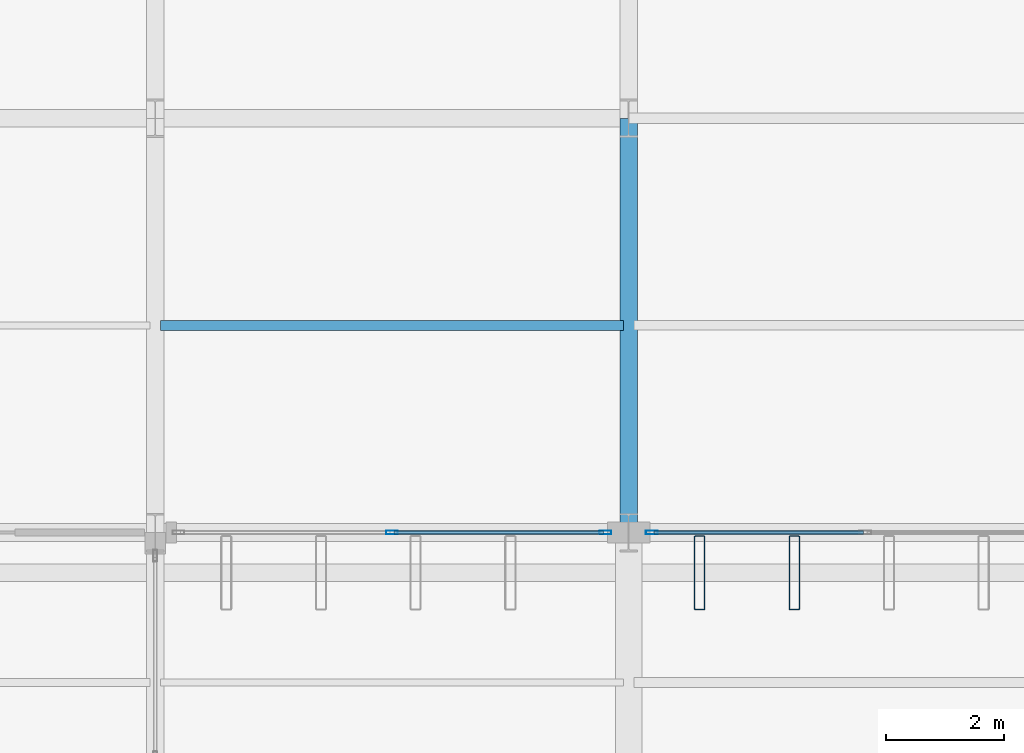
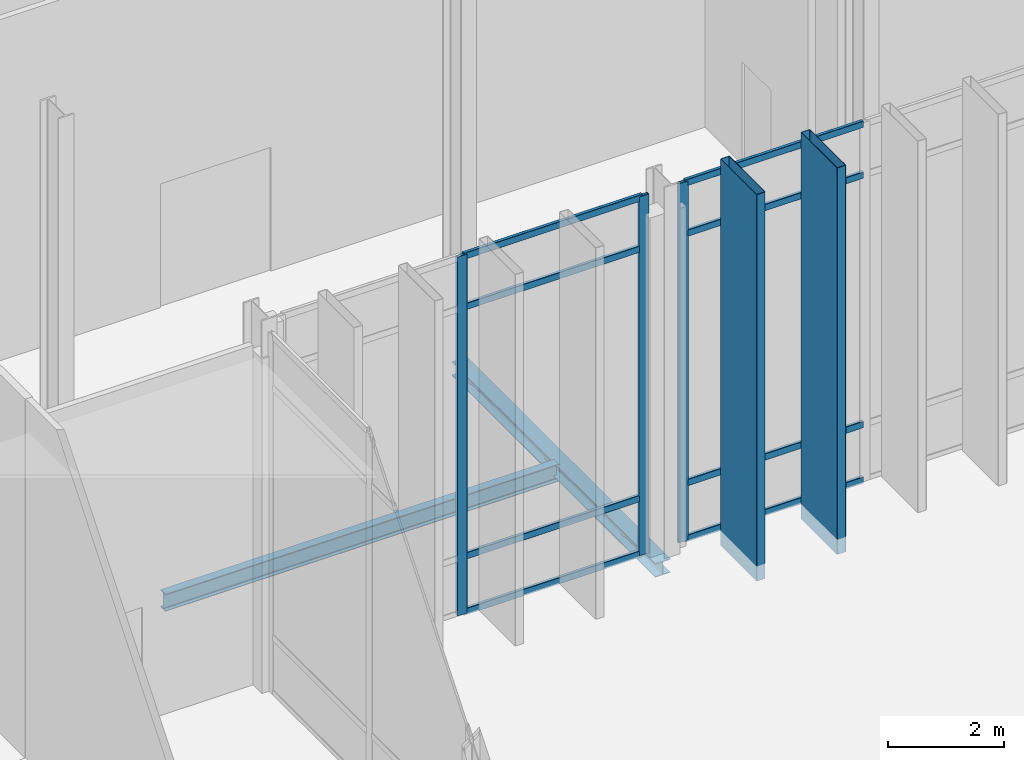
# One storey, part 52 of 176: 13 members, 2 beams, 2 elements without a shape of their own.
"""IFC4 building model written with IfcOpenShell, lengths in metres."""

from ifc_helpers import new_model, si_unit, direction, frame, origin, origin_2d, place, context, subcontext, project, spatial, hollow_rectangle, i_section, extrude, material, layer, layer_set, material_profile, profile_set, type_object, element, aggregate, save


model = new_model("IFC4")

# Units and contexts
model_context = context("Model", 3, precision=1e-05, world=origin(), true_north=direction((0.0, 1.0)))
body_context = subcontext(model_context, "Body", "Model", "MODEL_VIEW")
ifc_project = project(units=[si_unit("LENGTHUNIT", "METRE"), si_unit("AREAUNIT", "SQUARE_METRE"), si_unit("VOLUMEUNIT", "CUBIC_METRE"), si_unit("PLANEANGLEUNIT", "RADIAN"), si_unit("MASSUNIT", "GRAM", prefix="KILO")], contexts=[model_context])

# Site, building, storey
site_placement = place(None, origin())
site = spatial("IfcSite", under=ifc_project, at=site_placement, CompositionType="ELEMENT")
building_placement = place(site_placement, origin())
building = spatial("IfcBuilding", under=site, at=building_placement, Name="Vekula Escarpment Museum", CompositionType="ELEMENT")
storey_placement = place(building_placement, origin())
storey = spatial("IfcBuildingStorey", under=building, at=storey_placement, Name="L01", CompositionType="ELEMENT", Elevation=0.0)

# Beams
ifc_material_1 = material(Name="Steel S355", Category="steel")
ifc_material_profile_1 = material_profile(ifc_material_1, i_section(OverallWidth=0.169921875, OverallDepth=0.360107421875, WebThickness=0.008056640625, FlangeThickness=0.0126953125, FilletRadius=0.01806640625, at=origin_2d()), Name="IPE 360")
ifc_profile_set_1 = profile_set([ifc_material_profile_1], Name="Steel S355")
beam_type_1 = type_object("IfcBeamType", Name="BM-JST-IPE360", PredefinedType="JOIST", material=ifc_profile_set_1)
beam_1_placement = place(storey_placement, frame((102.090087890625, 49.10009765625, -0.47998046875), z_axis=(1.0, 0.0, 0.0), x_axis=(0.0, 1.0, 0.0)))
element("IfcBeam", 1, at=beam_1_placement, inside=storey, type_object=beam_type_1, Name="Secondary Joist L01 0332", PredefinedType="JOIST", context=body_context, shape_type="SweptSolid", body=[
    extrude(i_section(OverallWidth=0.169921875, OverallDepth=0.360107421875, WebThickness=0.008056640625, FlangeThickness=0.0126953125, FilletRadius=0.01806640625, at=origin_2d()), origin(), (0.0, 0.0, 1.0), 7.81982421875),
])
ifc_material_2 = material(Name="Steel S355", Category="steel")
ifc_material_profile_2 = material_profile(ifc_material_2, i_section(OverallWidth=0.300048828125, OverallDepth=0.2900390625, WebThickness=0.008544921875, FlangeThickness=0.013916015625, FilletRadius=0.027099609375, at=origin_2d()), Name="HEA 300")
ifc_profile_set_2 = profile_set([ifc_material_profile_2], Name="Steel S355")
beam_type_2 = type_object("IfcBeamType", Name="BM-SPAN-HEA300", PredefinedType="SPANDREL", material=ifc_profile_set_2)
beam_2_placement = place(storey_placement, frame((110.0, 45.60009765625, -0.445068359375), z_axis=(0.0, 1.0, 0.0), x_axis=(-1.0, 0.0, 0.0)))
element("IfcBeam", 2, at=beam_2_placement, inside=storey, type_object=beam_type_2, Name="Beam Y L01 0618", PredefinedType="SPANDREL", context=body_context, shape_type="SweptSolid", body=[
    extrude(i_section(OverallWidth=0.300048828125, OverallDepth=0.2900390625, WebThickness=0.008544921875, FlangeThickness=0.013916015625, FilletRadius=0.027099609375, at=origin_2d()), origin(), (0.0, 0.0, 1.0), 7.0),
])

# Curtain wall, members
ifc_material_3 = material(Name="Aluminium thermally broken framing", Category="aluminium")
ifc_layer_1 = layer(ifc_material_3, 0.179931640625)
ifc_layer_set_1 = layer_set([ifc_layer_1], Name="Aluminium thermally broken framing")
curtain_wall_type_1 = type_object("IfcCurtainWallType", Name="CW-SYS-07", PredefinedType="NOTDEFINED", material=ifc_layer_set_1)
curtain_wall_1_placement = place(storey_placement, origin())
curtain_wall_1 = element("IfcCurtainWall", 3, at=curtain_wall_1_placement, inside=storey, type_object=curtain_wall_type_1, Name="Curtain Wall CW-L01-007", PredefinedType="NOTDEFINED")
ifc_material_4 = material(Name="Aluminium anodized mullion", Category="aluminium")
ifc_material_profile_3 = material_profile(ifc_material_4, hollow_rectangle(XDim=0.06494140625, YDim=0.199951171875, WallThickness=0.00390625, InnerFilletRadius=0.00390625, OuterFilletRadius=0.008056640625, at=origin_2d()), Name="ALU 200x65x4")
ifc_profile_set_3 = profile_set([ifc_material_profile_3], Name="Aluminium anodized mullion")
member_type_1 = type_object("IfcMemberType", Name="CW-MUL-200", PredefinedType="MULLION", material=ifc_profile_set_3)
member_1_placement = place(storey_placement, frame((106.0, 45.60009765625, 0.0), z_axis=(0.0, 0.0, 1.0), x_axis=(0.0, 1.0, 0.0)))
member_1 = element("IfcMember", 4, at=member_1_placement, type_object=member_type_1, Name="CW-07 mullion 2", PredefinedType="MULLION", context=body_context, shape_type="SweptSolid", body=[
    extrude(hollow_rectangle(XDim=0.06494140625, YDim=0.199951171875, WallThickness=0.00390625, InnerFilletRadius=0.00390625, OuterFilletRadius=0.008056640625, at=origin_2d()), origin(), (0.0, 0.0, 1.0), 7.5400390625),
])
member_2_placement = place(storey_placement, frame((109.607421875, 45.60009765625, 0.0), z_axis=(0.0, 0.0, 1.0), x_axis=(0.0, 1.0, 0.0)))
member_2 = element("IfcMember", 5, at=member_2_placement, type_object=member_type_1, Name="CW-07 mullion 3", PredefinedType="MULLION", context=body_context, shape_type="SweptSolid", body=[
    extrude(hollow_rectangle(XDim=0.06494140625, YDim=0.199951171875, WallThickness=0.00390625, InnerFilletRadius=0.00390625, OuterFilletRadius=0.008056640625, at=origin_2d()), origin(), (0.0, 0.0, 1.0), 7.5400390625),
])

# Curtain wall, member
ifc_material_5 = material(Name="Aluminium thermally broken framing", Category="aluminium")
ifc_layer_2 = layer(ifc_material_5, 0.179931640625)
ifc_layer_set_2 = layer_set([ifc_layer_2], Name="Aluminium thermally broken framing")
curtain_wall_type_2 = type_object("IfcCurtainWallType", Name="CW-SYS-08", PredefinedType="NOTDEFINED", material=ifc_layer_set_2)
curtain_wall_2_placement = place(storey_placement, origin())
curtain_wall_2 = element("IfcCurtainWall", 6, at=curtain_wall_2_placement, inside=storey, type_object=curtain_wall_type_2, Name="Curtain Wall CW-L01-008", PredefinedType="NOTDEFINED")
member_3_placement = place(storey_placement, frame((110.392578125, 45.60009765625, 0.0), z_axis=(0.0, 0.0, 1.0), x_axis=(0.0, 1.0, 0.0)))
member_3 = element("IfcMember", 7, at=member_3_placement, type_object=member_type_1, Name="CW-08 mullion 1", PredefinedType="MULLION", context=body_context, shape_type="SweptSolid", body=[
    extrude(hollow_rectangle(XDim=0.06494140625, YDim=0.199951171875, WallThickness=0.00390625, InnerFilletRadius=0.00390625, OuterFilletRadius=0.008056640625, at=origin_2d()), origin(), (0.0, 0.0, 1.0), 7.5400390625),
])

# Member
ifc_material_6 = material(Name="Aluminium anodized transom", Category="aluminium")
ifc_material_profile_4 = material_profile(ifc_material_6, hollow_rectangle(XDim=0.06494140625, YDim=0.139892578125, WallThickness=0.00390625, InnerFilletRadius=0.00390625, OuterFilletRadius=0.008056640625, at=origin_2d()), Name="ALU 140x65x4")
ifc_profile_set_4 = profile_set([ifc_material_profile_4], Name="Aluminium anodized transom")
member_type_2 = type_object("IfcMemberType", Name="CW-TRN-140", PredefinedType="USERDEFINED", material=ifc_profile_set_4)
member_4_placement = place(storey_placement, frame((106.032470703125, 45.60009765625, 0.032470703125), z_axis=(1.0, 0.0, 0.0), x_axis=(0.0, 1.0, 0.0)))
member_4 = element("IfcMember", 8, at=member_4_placement, type_object=member_type_2, Name="CW-07 transom 2.1", ObjectType="TRANSOM", PredefinedType="USERDEFINED", context=body_context, shape_type="SweptSolid", body=[
    extrude(hollow_rectangle(XDim=0.06494140625, YDim=0.139892578125, WallThickness=0.00390625, InnerFilletRadius=0.00390625, OuterFilletRadius=0.008056640625, at=origin_2d()), origin(), (0.0, 0.0, 1.0), 3.54248046875),
])

member_5_placement = place(storey_placement, frame((106.032470703125, 45.60009765625, 1.199951171875), z_axis=(1.0, 0.0, 0.0), x_axis=(0.0, 1.0, 0.0)))
member_5 = element("IfcMember", 9, at=member_5_placement, type_object=member_type_2, Name="CW-07 transom 2.2", ObjectType="TRANSOM", PredefinedType="USERDEFINED", context=body_context, shape_type="SweptSolid", body=[
    extrude(hollow_rectangle(XDim=0.06494140625, YDim=0.139892578125, WallThickness=0.00390625, InnerFilletRadius=0.00390625, OuterFilletRadius=0.008056640625, at=origin_2d()), origin(), (0.0, 0.0, 1.0), 3.54248046875),
])

member_6_placement = place(storey_placement, frame((106.032470703125, 45.60009765625, 6.43994140625), z_axis=(1.0, 0.0, 0.0), x_axis=(0.0, 1.0, 0.0)))
member_6 = element("IfcMember", 10, at=member_6_placement, type_object=member_type_2, Name="CW-07 transom 2.3", ObjectType="TRANSOM", PredefinedType="USERDEFINED", context=body_context, shape_type="SweptSolid", body=[
    extrude(hollow_rectangle(XDim=0.06494140625, YDim=0.139892578125, WallThickness=0.00390625, InnerFilletRadius=0.00390625, OuterFilletRadius=0.008056640625, at=origin_2d()), origin(), (0.0, 0.0, 1.0), 3.54248046875),
])

member_7_placement = place(storey_placement, frame((106.032470703125, 45.60009765625, 7.507568359375), z_axis=(1.0, 0.0, 0.0), x_axis=(0.0, 1.0, 0.0)))
member_7 = element("IfcMember", 11, at=member_7_placement, type_object=member_type_2, Name="CW-07 transom 2.4", ObjectType="TRANSOM", PredefinedType="USERDEFINED", context=body_context, shape_type="SweptSolid", body=[
    extrude(hollow_rectangle(XDim=0.06494140625, YDim=0.139892578125, WallThickness=0.00390625, InnerFilletRadius=0.00390625, OuterFilletRadius=0.008056640625, at=origin_2d()), origin(), (0.0, 0.0, 1.0), 3.54248046875),
])

aggregate(curtain_wall_1, [member_1, member_2, member_4, member_5, member_6, member_7])

member_8_placement = place(storey_placement, frame((110.425048828125, 45.60009765625, 0.032470703125), z_axis=(1.0, 0.0, 0.0), x_axis=(0.0, 1.0, 0.0)))
member_8 = element("IfcMember", 12, at=member_8_placement, type_object=member_type_2, Name="CW-08 transom 1.1", ObjectType="TRANSOM", PredefinedType="USERDEFINED", context=body_context, shape_type="SweptSolid", body=[
    extrude(hollow_rectangle(XDim=0.06494140625, YDim=0.139892578125, WallThickness=0.00390625, InnerFilletRadius=0.00390625, OuterFilletRadius=0.008056640625, at=origin_2d()), origin(), (0.0, 0.0, 1.0), 3.54248046875),
])

member_9_placement = place(storey_placement, frame((110.425048828125, 45.60009765625, 1.199951171875), z_axis=(1.0, 0.0, 0.0), x_axis=(0.0, 1.0, 0.0)))
member_9 = element("IfcMember", 13, at=member_9_placement, type_object=member_type_2, Name="CW-08 transom 1.2", ObjectType="TRANSOM", PredefinedType="USERDEFINED", context=body_context, shape_type="SweptSolid", body=[
    extrude(hollow_rectangle(XDim=0.06494140625, YDim=0.139892578125, WallThickness=0.00390625, InnerFilletRadius=0.00390625, OuterFilletRadius=0.008056640625, at=origin_2d()), origin(), (0.0, 0.0, 1.0), 3.54248046875),
])

member_10_placement = place(storey_placement, frame((110.425048828125, 45.60009765625, 6.43994140625), z_axis=(1.0, 0.0, 0.0), x_axis=(0.0, 1.0, 0.0)))
member_10 = element("IfcMember", 14, at=member_10_placement, type_object=member_type_2, Name="CW-08 transom 1.3", ObjectType="TRANSOM", PredefinedType="USERDEFINED", context=body_context, shape_type="SweptSolid", body=[
    extrude(hollow_rectangle(XDim=0.06494140625, YDim=0.139892578125, WallThickness=0.00390625, InnerFilletRadius=0.00390625, OuterFilletRadius=0.008056640625, at=origin_2d()), origin(), (0.0, 0.0, 1.0), 3.54248046875),
])

member_11_placement = place(storey_placement, frame((110.425048828125, 45.60009765625, 7.507568359375), z_axis=(1.0, 0.0, 0.0), x_axis=(0.0, 1.0, 0.0)))
member_11 = element("IfcMember", 15, at=member_11_placement, type_object=member_type_2, Name="CW-08 transom 1.4", ObjectType="TRANSOM", PredefinedType="USERDEFINED", context=body_context, shape_type="SweptSolid", body=[
    extrude(hollow_rectangle(XDim=0.06494140625, YDim=0.139892578125, WallThickness=0.00390625, InnerFilletRadius=0.00390625, OuterFilletRadius=0.008056640625, at=origin_2d()), origin(), (0.0, 0.0, 1.0), 3.54248046875),
])

aggregate(curtain_wall_2, [member_3, member_8, member_9, member_10, member_11])

# Members
ifc_material_7 = material(Name="Steel S355 weathered bronze solar fin", Category="steel")
ifc_material_profile_5 = material_profile(ifc_material_7, hollow_rectangle(XDim=0.179931640625, YDim=1.25, WallThickness=0.010009765625, InnerFilletRadius=0.010009765625, OuterFilletRadius=0.02001953125, at=origin_2d()), Name="RHS 1250x180x10")
ifc_profile_set_5 = profile_set([ifc_material_profile_5], Name="Steel S355 weathered bronze solar fin")
member_type_3 = type_object("IfcMemberType", Name="MB-SOLAR-FIN", PredefinedType="USERDEFINED", material=ifc_profile_set_5)
for number, where, z_axis, x_axis, name in (
    (16, (111.199951171875, 44.919921875, -0.320068359375), (0.0, 0.0, 1.0), (1.0, 0.0, 0.0), "Great Hall Vertical Solar Fin 0086"),
    (17, (112.800048828125, 44.919921875, -0.320068359375), (0.0, 0.0, 1.0), (1.0, 0.0, 0.0), "Great Hall Vertical Solar Fin 0091"),
):
    element("IfcMember", number, at=place(storey_placement, frame(where, z_axis=z_axis, x_axis=x_axis)), inside=storey, type_object=member_type_3, Name=name, ObjectType="SOLAR FIN", PredefinedType="USERDEFINED", context=body_context, shape_type="SweptSolid", body=[
        extrude(hollow_rectangle(XDim=0.179931640625, YDim=1.25, WallThickness=0.010009765625, InnerFilletRadius=0.010009765625, OuterFilletRadius=0.02001953125, at=origin_2d()), origin(), (0.0, 0.0, 1.0), 8.1201171875),
    ])

save(model, "model.ifc")
